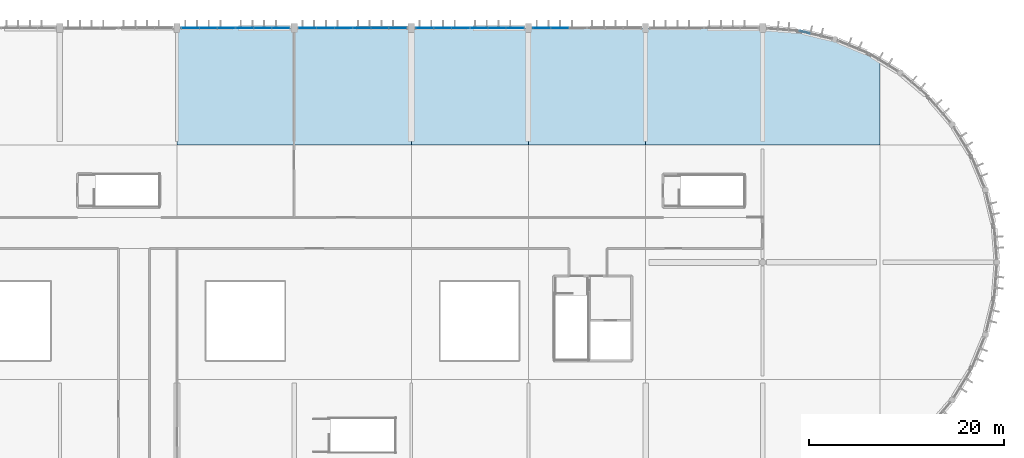
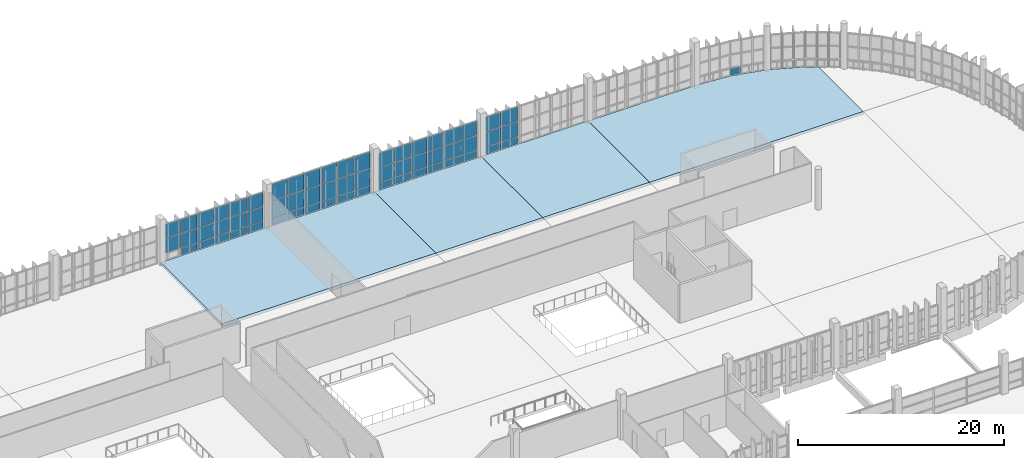
# One storey, part 73 of 112: 60 plates, 4 slabs, 8 elements without a shape of their own.
"""IFC4 building model written with IfcOpenShell, lengths in metres."""

import ifcopenshell
import ifcopenshell.guid

model = None  # the IFC model being written
_history = None  # IfcOwnerHistory: only IFC2X3 demands one
_inside = {}  # id of a spatial element -> (the spatial element, [elements in it])
_under = {}  # id of a project, library or spatial element -> (it, [spatial elements below it])
_declared = {}  # id of a project -> (the project, [libraries it declares])
_typed = {}  # id of a type object -> (the type object, [elements of that type])
_made_of = {}  # id of a material, layer set ... -> (it, [elements and type objects made of it])


def new_model(schema):
    """Start an empty IFC model of exactly this schema.

    Asked for "IFC4X3", IfcOpenShell would pick the latest addendum, in which some entities
    have other attributes; the version numbers below select the first issue.
    IFC2X3 requires an IfcOwnerHistory on every rooted entity: one is made here for all.
    """
    global model, _history
    if schema == "IFC4X3":
        model = ifcopenshell.file(schema_version=(4, 3, 0, 0))
    else:
        model = ifcopenshell.file(schema=schema)
    _inside.clear()
    _under.clear()
    _declared.clear()
    _typed.clear()
    _made_of.clear()
    _history = None
    if model.schema == "IFC2X3":
        org = make("IfcOrganization", Name="unknown")
        user = make(
            "IfcPersonAndOrganization",
            ThePerson=make("IfcPerson", FamilyName="unknown"),
            TheOrganization=org,
        )
        app = make(
            "IfcApplication",
            ApplicationDeveloper=org,
            Version="unknown",
            ApplicationFullName="unknown",
            ApplicationIdentifier="unknown",
        )
        _history = make(
            "IfcOwnerHistory",
            OwningUser=user,
            OwningApplication=app,
            ChangeAction="ADDED",
            CreationDate=0,
        )
    return model


def make(cls, **values):
    """One entity of the class cls with the attributes given. An attribute that is None is left unset."""
    return model.create_entity(
        cls, **{name: value for name, value in values.items() if value is not None}
    )


def rooted(cls, **values):
    """An entity with a GlobalId (a new one), such as an element, a storey or a relation."""
    return make(cls, GlobalId=ifcopenshell.guid.new(), OwnerHistory=_history, **values)


def si_unit(unit_type, name, prefix=None):
    """IfcSIUnit, for example si_unit("LENGTHUNIT", "METRE", prefix="MILLI")."""
    return make("IfcSIUnit", UnitType=unit_type, Prefix=prefix, Name=name)


def assignment(units):
    """IfcUnitAssignment: the units of a project."""
    return None if units is None else make("IfcUnitAssignment", Units=units)


def point(xyz):
    """IfcCartesianPoint."""
    return None if xyz is None else make("IfcCartesianPoint", Coordinates=xyz)


def direction(xyz):
    """IfcDirection."""
    return None if xyz is None else make("IfcDirection", DirectionRatios=xyz)


def frame(location, z_axis=None, x_axis=None):
    """IfcAxis2Placement3D, a coordinate frame: its origin and axes. An axis left out is left unset."""
    return make(
        "IfcAxis2Placement3D",
        Location=point(location),
        Axis=direction(z_axis),
        RefDirection=direction(x_axis),
    )


def frame_2d(location, x_axis=None):
    """IfcAxis2Placement2D, a coordinate frame in the plane: its origin and x axis."""
    return make(
        "IfcAxis2Placement2D", Location=point(location), RefDirection=direction(x_axis)
    )


def origin():
    """The frame at (0, 0, 0) with its axes left unset."""
    return frame((0.0, 0.0, 0.0))


def origin_2d():
    """The frame at (0, 0) in the plane with its x axis left unset."""
    return frame_2d((0.0, 0.0))


def place(relative_to, where):
    """IfcLocalPlacement: puts the frame where relative to a parent placement (None: the world)."""
    return make(
        "IfcLocalPlacement", PlacementRelTo=relative_to, RelativePlacement=where
    )


def context(
    kind, dimensions, precision=None, world=None, true_north=None, identifier=None
):
    """IfcGeometricRepresentationContext, for example the 3D "Model" context."""
    return make(
        "IfcGeometricRepresentationContext",
        ContextIdentifier=identifier,
        ContextType=kind,
        CoordinateSpaceDimension=dimensions,
        Precision=precision,
        WorldCoordinateSystem=world,
        TrueNorth=true_north,
    )


def subcontext(parent, identifier, kind, view, scale=None):
    """IfcGeometricRepresentationSubContext, for example "Body" below "Model"."""
    return make(
        "IfcGeometricRepresentationSubContext",
        ContextIdentifier=identifier,
        ContextType=kind,
        ParentContext=parent,
        TargetScale=scale,
        TargetView=view,
    )


def project(units=None, contexts=None):
    """IfcProject with its units and contexts."""
    return rooted(
        "IfcProject",
        Name="project",
        RepresentationContexts=contexts,
        UnitsInContext=assignment(units),
    )


def spatial(cls, under=None, at=None, **own):
    """A site, building, storey or space (cls), placed at a placement, below another one or the project."""
    s = rooted(cls, ObjectPlacement=at, **own)
    if under is not None:
        _under.setdefault(under.id(), (under, []))[1].append(s)
    return s


def polyline(points):
    """IfcPolyline through the points."""
    return make("IfcPolyline", Points=[point(p) for p in points])


def profile(cls, at=None, kind="AREA", **sizes):
    """A parametric profile (cls). Its sizes go by their IFC names, for example OverallWidth=200.0."""
    return make(cls, ProfileType=kind, Position=at, **sizes)


def rectangle(**sizes):
    """IfcRectangleProfileDef."""
    return profile("IfcRectangleProfileDef", **sizes)


def outline(outer, holes=None, kind="AREA"):
    """IfcArbitraryClosedProfileDef: a profile drawn as a closed curve; with holes, ...WithVoids."""
    if holes is None:
        return make("IfcArbitraryClosedProfileDef", ProfileType=kind, OuterCurve=outer)
    return make(
        "IfcArbitraryProfileDefWithVoids",
        ProfileType=kind,
        OuterCurve=outer,
        InnerCurves=holes,
    )


def extrude(swept, where, along, depth):
    """IfcExtrudedAreaSolid: the profile swept, set in the frame where, extruded along a direction by depth."""
    return make(
        "IfcExtrudedAreaSolid",
        SweptArea=swept,
        Position=where,
        ExtrudedDirection=direction(along),
        Depth=depth,
    )


def shape(context_of_items, identifier, shape_type, items):
    """IfcShapeRepresentation: the items that make up one representation, for example the "Body"."""
    return make(
        "IfcShapeRepresentation",
        ContextOfItems=context_of_items,
        RepresentationIdentifier=identifier,
        RepresentationType=shape_type,
        Items=items,
    )


def material(Name=None, Category=None):
    """IfcMaterial."""
    return make("IfcMaterial", Name=Name, Category=Category)


def layer(
    of_material, thickness, ventilated=None, Name=None, Category=None, Priority=None
):
    """IfcMaterialLayer: one layer of a wall or slab, of a material (None: an air gap)."""
    return make(
        "IfcMaterialLayer",
        Material=of_material,
        LayerThickness=thickness,
        IsVentilated=ventilated,
        Name=Name,
        Category=Category,
        Priority=Priority,
    )


def layer_set(layers, Name=None):
    """IfcMaterialLayerSet."""
    return make("IfcMaterialLayerSet", MaterialLayers=layers, LayerSetName=Name)


def made_of(thing, what):
    """Note that an element or type object is made of a material, layer set ...; save() writes the relation."""
    if what is not None:
        _made_of.setdefault(what.id(), (what, []))[1].append(thing)
    return thing


def type_object(cls, material=None, **own):
    """A type object (cls), such as IfcWallType, which elements share."""
    return made_of(rooted(cls, **own), material)


def element(
    cls,
    number,
    at=None,
    inside=None,
    cuts=None,
    type_object=None,
    material=None,
    context=None,
    identifier="Body",
    shape_type=None,
    held_by="IfcProductDefinitionShape",
    body=None,
    shapes=None,
    **own,
):
    """One element of the class cls, such as IfcWall. Its Tag is "e" and its number.

    at: its placement. inside: the storey or other place that contains it. cuts: it is an
    opening in that element (IfcRelVoidsElement). A single representation is given by context,
    identifier, shape_type and body (its items); several are given by shapes. held_by: the class
    of the entity that holds the representations. save() writes the other relations.
    """
    e = rooted(cls, Tag="e%d" % number, ObjectPlacement=at, **own)
    if body is not None:
        shapes = [shape(context, identifier, shape_type, body)]
    if shapes is not None:
        e.Representation = make(held_by, Representations=shapes)
    if inside is not None:
        _inside.setdefault(inside.id(), (inside, []))[1].append(e)
    if cuts is not None:
        rooted(
            "IfcRelVoidsElement", RelatingBuildingElement=cuts, RelatedOpeningElement=e
        )
    if type_object is not None:
        _typed.setdefault(type_object.id(), (type_object, []))[1].append(e)
    return made_of(e, material)


def aggregate(whole, parts):
    """IfcRelAggregates: a whole, such as a stair, and the parts it consists of."""
    return rooted("IfcRelAggregates", RelatingObject=whole, RelatedObjects=parts)


def save(model, path):
    """Write the relations noted so far, then the file.

    IfcRelAggregates (storeys below a building ...), IfcRelContainedInSpatialStructure (elements
    in a storey), IfcRelDefinesByType, IfcRelAssociatesMaterial and IfcRelDeclares: one each for
    every whole, place, type object, material and project.
    """
    for whole, parts in _under.values():
        aggregate(whole, parts)
    for where, things in _inside.values():
        rooted(
            "IfcRelContainedInSpatialStructure",
            RelatedElements=things,
            RelatingStructure=where,
        )
    for kind, things in _typed.values():
        rooted("IfcRelDefinesByType", RelatedObjects=things, RelatingType=kind)
    for what, things in _made_of.values():
        rooted("IfcRelAssociatesMaterial", RelatedObjects=things, RelatingMaterial=what)
    for by, libraries in _declared.values():
        rooted("IfcRelDeclares", RelatingContext=by, RelatedDefinitions=libraries)
    model.write(path)


model = new_model("IFC4")

# Units and contexts
model_context = context("Model", 3, precision=1e-05, world=origin(), true_north=direction((0.0, 1.0)))
body_context = subcontext(model_context, "Body", "Model", "MODEL_VIEW")
ifc_project = project(units=[si_unit("LENGTHUNIT", "METRE"), si_unit("AREAUNIT", "SQUARE_METRE"), si_unit("VOLUMEUNIT", "CUBIC_METRE"), si_unit("PLANEANGLEUNIT", "RADIAN"), si_unit("MASSUNIT", "GRAM", prefix="KILO")], contexts=[model_context])

# Site, building, storey
site_placement = place(None, origin())
site = spatial("IfcSite", under=ifc_project, at=site_placement, CompositionType="ELEMENT")
building_placement = place(site_placement, origin())
building = spatial("IfcBuilding", under=site, at=building_placement, Name="Kamomehara Wholesale Market", CompositionType="ELEMENT")
storey_placement = place(building_placement, frame((0.0, 0.0, 6.60009765625)))
storey = spatial("IfcBuildingStorey", under=building, at=storey_placement, Name="L01", CompositionType="ELEMENT", Elevation=6.60009765625)

# Curtain wall, plates
ifc_material_1 = material(Name="Anodised aluminium 6063-T5", Category="aluminium")
curtain_wall_type_1 = type_object("IfcCurtainWallType", Name="CW-UN-02", PredefinedType="NOTDEFINED", material=ifc_material_1)
curtain_wall_1_placement = place(storey_placement, origin())
curtain_wall_1 = element("IfcCurtainWall", 1, at=curtain_wall_1_placement, inside=storey, type_object=curtain_wall_type_1, Name="Unitised curtain wall CW-077", PredefinedType="NOTDEFINED")
ifc_material_2 = material(Name="Solar-control Low-E double glazing", Category="glass")
ifc_layer_1 = layer(ifc_material_2, 0.028076171875)
ifc_layer_set_1 = layer_set([ifc_layer_1], Name="Solar-control Low-E double glazing")
plate_type_1 = type_object("IfcPlateType", Name="CW-PNL-GLZ", PredefinedType="CURTAIN_PANEL", material=ifc_layer_set_1)
plate_1_placement = place(storey_placement, frame((121.3779296875, 156.02001953125, 0.93017578125), z_axis=(0.0, 0.0, 1.0), x_axis=(1.0, 0.0, 0.0)))
plate_1 = element("IfcPlate", 2, at=plate_1_placement, type_object=plate_type_1, Name="Curtain panel CW-077.0.1", PredefinedType="CURTAIN_PANEL", context=body_context, shape_type="SweptSolid", body=[
    extrude(rectangle(XDim=1.757080078125, YDim=0.028076171875, at=origin_2d()), origin(), (0.0, 0.0, 1.0), 1.679931640625),
])
plate_2_placement = place(storey_placement, frame((121.3779296875, 156.02001953125, 2.669921875), z_axis=(0.0, 0.0, 1.0), x_axis=(1.0, 0.0, 0.0)))
plate_2 = element("IfcPlate", 3, at=plate_2_placement, type_object=plate_type_1, Name="Curtain panel CW-077.0.2", PredefinedType="CURTAIN_PANEL", context=body_context, shape_type="SweptSolid", body=[
    extrude(rectangle(XDim=1.757080078125, YDim=0.028076171875, at=origin_2d()), origin(), (0.0, 0.0, 1.0), 1.639892578125),
])
plate_3_placement = place(storey_placement, frame((123.215087890625, 156.02001953125, 0.93017578125), z_axis=(0.0, 0.0, 1.0), x_axis=(1.0, 0.0, 0.0)))
plate_3 = element("IfcPlate", 4, at=plate_3_placement, type_object=plate_type_1, Name="Curtain panel CW-077.1.1", PredefinedType="CURTAIN_PANEL", context=body_context, shape_type="SweptSolid", body=[
    extrude(rectangle(XDim=1.757080078125, YDim=0.028076171875, at=origin_2d()), origin(), (0.0, 0.0, 1.0), 1.679931640625),
])
plate_4_placement = place(storey_placement, frame((123.215087890625, 156.02001953125, 2.669921875), z_axis=(0.0, 0.0, 1.0), x_axis=(1.0, 0.0, 0.0)))
plate_4 = element("IfcPlate", 5, at=plate_4_placement, type_object=plate_type_1, Name="Curtain panel CW-077.1.2", PredefinedType="CURTAIN_PANEL", context=body_context, shape_type="SweptSolid", body=[
    extrude(rectangle(XDim=1.757080078125, YDim=0.028076171875, at=origin_2d()), origin(), (0.0, 0.0, 1.0), 1.639892578125),
])
plate_5_placement = place(storey_placement, frame((125.052001953125, 156.02001953125, 0.93017578125), z_axis=(0.0, 0.0, 1.0), x_axis=(1.0, 0.0, 0.0)))
plate_5 = element("IfcPlate", 6, at=plate_5_placement, type_object=plate_type_1, Name="Curtain panel CW-077.2.1", PredefinedType="CURTAIN_PANEL", context=body_context, shape_type="SweptSolid", body=[
    extrude(rectangle(XDim=1.757080078125, YDim=0.028076171875, at=origin_2d()), origin(), (0.0, 0.0, 1.0), 1.679931640625),
])
plate_6_placement = place(storey_placement, frame((125.052001953125, 156.02001953125, 2.669921875), z_axis=(0.0, 0.0, 1.0), x_axis=(1.0, 0.0, 0.0)))
plate_6 = element("IfcPlate", 7, at=plate_6_placement, type_object=plate_type_1, Name="Curtain panel CW-077.2.2", PredefinedType="CURTAIN_PANEL", context=body_context, shape_type="SweptSolid", body=[
    extrude(rectangle(XDim=1.757080078125, YDim=0.028076171875, at=origin_2d()), origin(), (0.0, 0.0, 1.0), 1.639892578125),
])

curtain_wall_2_placement = place(storey_placement, origin())
curtain_wall_2 = element("IfcCurtainWall", 8, at=curtain_wall_2_placement, inside=storey, type_object=curtain_wall_type_1, Name="Unitised curtain wall CW-078", PredefinedType="NOTDEFINED")
plate_7_placement = place(storey_placement, frame((126.947998046875, 156.02001953125, 0.93017578125), z_axis=(0.0, 0.0, 1.0), x_axis=(1.0, 0.0, 0.0)))
plate_7 = element("IfcPlate", 9, at=plate_7_placement, type_object=plate_type_1, Name="Curtain panel CW-078.0.1", PredefinedType="CURTAIN_PANEL", context=body_context, shape_type="SweptSolid", body=[
    extrude(rectangle(XDim=1.757080078125, YDim=0.028076171875, at=origin_2d()), origin(), (0.0, 0.0, 1.0), 1.679931640625),
])
plate_8_placement = place(storey_placement, frame((126.947998046875, 156.02001953125, 2.669921875), z_axis=(0.0, 0.0, 1.0), x_axis=(1.0, 0.0, 0.0)))
plate_8 = element("IfcPlate", 10, at=plate_8_placement, type_object=plate_type_1, Name="Curtain panel CW-078.0.2", PredefinedType="CURTAIN_PANEL", context=body_context, shape_type="SweptSolid", body=[
    extrude(rectangle(XDim=1.757080078125, YDim=0.028076171875, at=origin_2d()), origin(), (0.0, 0.0, 1.0), 1.639892578125),
])
plate_9_placement = place(storey_placement, frame((128.784912109375, 156.02001953125, 0.93017578125), z_axis=(0.0, 0.0, 1.0), x_axis=(1.0, 0.0, 0.0)))
plate_9 = element("IfcPlate", 11, at=plate_9_placement, type_object=plate_type_1, Name="Curtain panel CW-078.1.1", PredefinedType="CURTAIN_PANEL", context=body_context, shape_type="SweptSolid", body=[
    extrude(rectangle(XDim=1.757080078125, YDim=0.028076171875, at=origin_2d()), origin(), (0.0, 0.0, 1.0), 1.679931640625),
])
plate_10_placement = place(storey_placement, frame((128.784912109375, 156.02001953125, 2.669921875), z_axis=(0.0, 0.0, 1.0), x_axis=(1.0, 0.0, 0.0)))
plate_10 = element("IfcPlate", 12, at=plate_10_placement, type_object=plate_type_1, Name="Curtain panel CW-078.1.2", PredefinedType="CURTAIN_PANEL", context=body_context, shape_type="SweptSolid", body=[
    extrude(rectangle(XDim=1.757080078125, YDim=0.028076171875, at=origin_2d()), origin(), (0.0, 0.0, 1.0), 1.639892578125),
])
plate_11_placement = place(storey_placement, frame((130.6220703125, 156.02001953125, 0.93017578125), z_axis=(0.0, 0.0, 1.0), x_axis=(1.0, 0.0, 0.0)))
plate_11 = element("IfcPlate", 13, at=plate_11_placement, type_object=plate_type_1, Name="Curtain panel CW-078.2.1", PredefinedType="CURTAIN_PANEL", context=body_context, shape_type="SweptSolid", body=[
    extrude(rectangle(XDim=1.757080078125, YDim=0.028076171875, at=origin_2d()), origin(), (0.0, 0.0, 1.0), 1.679931640625),
])
plate_12_placement = place(storey_placement, frame((130.6220703125, 156.02001953125, 2.669921875), z_axis=(0.0, 0.0, 1.0), x_axis=(1.0, 0.0, 0.0)))
plate_12 = element("IfcPlate", 14, at=plate_12_placement, type_object=plate_type_1, Name="Curtain panel CW-078.2.2", PredefinedType="CURTAIN_PANEL", context=body_context, shape_type="SweptSolid", body=[
    extrude(rectangle(XDim=1.757080078125, YDim=0.028076171875, at=origin_2d()), origin(), (0.0, 0.0, 1.0), 1.639892578125),
])

curtain_wall_3_placement = place(storey_placement, origin())
curtain_wall_3 = element("IfcCurtainWall", 15, at=curtain_wall_3_placement, inside=storey, type_object=curtain_wall_type_1, Name="Unitised curtain wall CW-081", PredefinedType="NOTDEFINED")
plate_13_placement = place(storey_placement, frame((133.3779296875, 156.02001953125, 0.93017578125), z_axis=(0.0, 0.0, 1.0), x_axis=(1.0, 0.0, 0.0)))
plate_13 = element("IfcPlate", 16, at=plate_13_placement, type_object=plate_type_1, Name="Curtain panel CW-081.0.1", PredefinedType="CURTAIN_PANEL", context=body_context, shape_type="SweptSolid", body=[
    extrude(rectangle(XDim=1.757080078125, YDim=0.028076171875, at=origin_2d()), origin(), (0.0, 0.0, 1.0), 1.985107421875),
])
plate_14_placement = place(storey_placement, frame((133.3779296875, 156.02001953125, 2.974609375), z_axis=(0.0, 0.0, 1.0), x_axis=(1.0, 0.0, 0.0)))
plate_14 = element("IfcPlate", 17, at=plate_14_placement, type_object=plate_type_1, Name="Curtain panel CW-081.0.2", PredefinedType="CURTAIN_PANEL", context=body_context, shape_type="SweptSolid", body=[
    extrude(rectangle(XDim=1.757080078125, YDim=0.028076171875, at=origin_2d()), origin(), (0.0, 0.0, 1.0), 1.945068359375),
])
plate_15_placement = place(storey_placement, frame((135.215087890625, 156.02001953125, 0.93017578125), z_axis=(0.0, 0.0, 1.0), x_axis=(1.0, 0.0, 0.0)))
plate_15 = element("IfcPlate", 18, at=plate_15_placement, type_object=plate_type_1, Name="Curtain panel CW-081.1.1", PredefinedType="CURTAIN_PANEL", context=body_context, shape_type="SweptSolid", body=[
    extrude(rectangle(XDim=1.757080078125, YDim=0.028076171875, at=origin_2d()), origin(), (0.0, 0.0, 1.0), 1.985107421875),
])
plate_16_placement = place(storey_placement, frame((135.215087890625, 156.02001953125, 2.974609375), z_axis=(0.0, 0.0, 1.0), x_axis=(1.0, 0.0, 0.0)))
plate_16 = element("IfcPlate", 19, at=plate_16_placement, type_object=plate_type_1, Name="Curtain panel CW-081.1.2", PredefinedType="CURTAIN_PANEL", context=body_context, shape_type="SweptSolid", body=[
    extrude(rectangle(XDim=1.757080078125, YDim=0.028076171875, at=origin_2d()), origin(), (0.0, 0.0, 1.0), 1.945068359375),
])
plate_17_placement = place(storey_placement, frame((137.052001953125, 156.02001953125, 0.93017578125), z_axis=(0.0, 0.0, 1.0), x_axis=(1.0, 0.0, 0.0)))
plate_17 = element("IfcPlate", 20, at=plate_17_placement, type_object=plate_type_1, Name="Curtain panel CW-081.2.1", PredefinedType="CURTAIN_PANEL", context=body_context, shape_type="SweptSolid", body=[
    extrude(rectangle(XDim=1.757080078125, YDim=0.028076171875, at=origin_2d()), origin(), (0.0, 0.0, 1.0), 1.985107421875),
])
plate_18_placement = place(storey_placement, frame((137.052001953125, 156.02001953125, 2.974609375), z_axis=(0.0, 0.0, 1.0), x_axis=(1.0, 0.0, 0.0)))
plate_18 = element("IfcPlate", 21, at=plate_18_placement, type_object=plate_type_1, Name="Curtain panel CW-081.2.2", PredefinedType="CURTAIN_PANEL", context=body_context, shape_type="SweptSolid", body=[
    extrude(rectangle(XDim=1.757080078125, YDim=0.028076171875, at=origin_2d()), origin(), (0.0, 0.0, 1.0), 1.945068359375),
])

curtain_wall_4_placement = place(storey_placement, origin())
curtain_wall_4 = element("IfcCurtainWall", 22, at=curtain_wall_4_placement, inside=storey, type_object=curtain_wall_type_1, Name="Unitised curtain wall CW-082", PredefinedType="NOTDEFINED")
plate_19_placement = place(storey_placement, frame((138.947998046875, 156.02001953125, 0.93017578125), z_axis=(0.0, 0.0, 1.0), x_axis=(1.0, 0.0, 0.0)))
plate_19 = element("IfcPlate", 23, at=plate_19_placement, type_object=plate_type_1, Name="Curtain panel CW-082.0.1", PredefinedType="CURTAIN_PANEL", context=body_context, shape_type="SweptSolid", body=[
    extrude(rectangle(XDim=1.757080078125, YDim=0.028076171875, at=origin_2d()), origin(), (0.0, 0.0, 1.0), 1.985107421875),
])
plate_20_placement = place(storey_placement, frame((138.947998046875, 156.02001953125, 2.974609375), z_axis=(0.0, 0.0, 1.0), x_axis=(1.0, 0.0, 0.0)))
plate_20 = element("IfcPlate", 24, at=plate_20_placement, type_object=plate_type_1, Name="Curtain panel CW-082.0.2", PredefinedType="CURTAIN_PANEL", context=body_context, shape_type="SweptSolid", body=[
    extrude(rectangle(XDim=1.757080078125, YDim=0.028076171875, at=origin_2d()), origin(), (0.0, 0.0, 1.0), 1.945068359375),
])
plate_21_placement = place(storey_placement, frame((140.784912109375, 156.02001953125, 0.93017578125), z_axis=(0.0, 0.0, 1.0), x_axis=(1.0, 0.0, 0.0)))
plate_21 = element("IfcPlate", 25, at=plate_21_placement, type_object=plate_type_1, Name="Curtain panel CW-082.1.1", PredefinedType="CURTAIN_PANEL", context=body_context, shape_type="SweptSolid", body=[
    extrude(rectangle(XDim=1.757080078125, YDim=0.028076171875, at=origin_2d()), origin(), (0.0, 0.0, 1.0), 1.985107421875),
])
plate_22_placement = place(storey_placement, frame((140.784912109375, 156.02001953125, 2.974609375), z_axis=(0.0, 0.0, 1.0), x_axis=(1.0, 0.0, 0.0)))
plate_22 = element("IfcPlate", 26, at=plate_22_placement, type_object=plate_type_1, Name="Curtain panel CW-082.1.2", PredefinedType="CURTAIN_PANEL", context=body_context, shape_type="SweptSolid", body=[
    extrude(rectangle(XDim=1.757080078125, YDim=0.028076171875, at=origin_2d()), origin(), (0.0, 0.0, 1.0), 1.945068359375),
])
plate_23_placement = place(storey_placement, frame((142.6220703125, 156.02001953125, 0.93017578125), z_axis=(0.0, 0.0, 1.0), x_axis=(1.0, 0.0, 0.0)))
plate_23 = element("IfcPlate", 27, at=plate_23_placement, type_object=plate_type_1, Name="Curtain panel CW-082.2.1", PredefinedType="CURTAIN_PANEL", context=body_context, shape_type="SweptSolid", body=[
    extrude(rectangle(XDim=1.757080078125, YDim=0.028076171875, at=origin_2d()), origin(), (0.0, 0.0, 1.0), 1.985107421875),
])
plate_24_placement = place(storey_placement, frame((142.6220703125, 156.02001953125, 2.974609375), z_axis=(0.0, 0.0, 1.0), x_axis=(1.0, 0.0, 0.0)))
plate_24 = element("IfcPlate", 28, at=plate_24_placement, type_object=plate_type_1, Name="Curtain panel CW-082.2.2", PredefinedType="CURTAIN_PANEL", context=body_context, shape_type="SweptSolid", body=[
    extrude(rectangle(XDim=1.757080078125, YDim=0.028076171875, at=origin_2d()), origin(), (0.0, 0.0, 1.0), 1.945068359375),
])

curtain_wall_5_placement = place(storey_placement, origin())
curtain_wall_5 = element("IfcCurtainWall", 29, at=curtain_wall_5_placement, inside=storey, type_object=curtain_wall_type_1, Name="Unitised curtain wall CW-085", PredefinedType="NOTDEFINED")
plate_25_placement = place(storey_placement, frame((145.3779296875, 156.02001953125, 0.930419921875), z_axis=(0.0, 0.0, 1.0), x_axis=(1.0, 0.0, 0.0)))
plate_25 = element("IfcPlate", 30, at=plate_25_placement, type_object=plate_type_1, Name="Curtain panel CW-085.0.1", PredefinedType="CURTAIN_PANEL", context=body_context, shape_type="SweptSolid", body=[
    extrude(rectangle(XDim=1.757080078125, YDim=0.028076171875, at=origin_2d()), origin(), (0.0, 0.0, 1.0), 1.705078125),
])
plate_26_placement = place(storey_placement, frame((145.3779296875, 156.02001953125, 2.6953125), z_axis=(0.0, 0.0, 1.0), x_axis=(1.0, 0.0, 0.0)))
plate_26 = element("IfcPlate", 31, at=plate_26_placement, type_object=plate_type_1, Name="Curtain panel CW-085.0.2", PredefinedType="CURTAIN_PANEL", context=body_context, shape_type="SweptSolid", body=[
    extrude(rectangle(XDim=1.757080078125, YDim=0.028076171875, at=origin_2d()), origin(), (0.0, 0.0, 1.0), 1.6650390625),
])
plate_27_placement = place(storey_placement, frame((147.215087890625, 156.02001953125, 0.930419921875), z_axis=(0.0, 0.0, 1.0), x_axis=(1.0, 0.0, 0.0)))
plate_27 = element("IfcPlate", 32, at=plate_27_placement, type_object=plate_type_1, Name="Curtain panel CW-085.1.1", PredefinedType="CURTAIN_PANEL", context=body_context, shape_type="SweptSolid", body=[
    extrude(rectangle(XDim=1.757080078125, YDim=0.028076171875, at=origin_2d()), origin(), (0.0, 0.0, 1.0), 1.705078125),
])
plate_28_placement = place(storey_placement, frame((147.215087890625, 156.02001953125, 2.6953125), z_axis=(0.0, 0.0, 1.0), x_axis=(1.0, 0.0, 0.0)))
plate_28 = element("IfcPlate", 33, at=plate_28_placement, type_object=plate_type_1, Name="Curtain panel CW-085.1.2", PredefinedType="CURTAIN_PANEL", context=body_context, shape_type="SweptSolid", body=[
    extrude(rectangle(XDim=1.757080078125, YDim=0.028076171875, at=origin_2d()), origin(), (0.0, 0.0, 1.0), 1.6650390625),
])
plate_29_placement = place(storey_placement, frame((149.052001953125, 156.02001953125, 0.930419921875), z_axis=(0.0, 0.0, 1.0), x_axis=(1.0, 0.0, 0.0)))
plate_29 = element("IfcPlate", 34, at=plate_29_placement, type_object=plate_type_1, Name="Curtain panel CW-085.2.1", PredefinedType="CURTAIN_PANEL", context=body_context, shape_type="SweptSolid", body=[
    extrude(rectangle(XDim=1.757080078125, YDim=0.028076171875, at=origin_2d()), origin(), (0.0, 0.0, 1.0), 1.705078125),
])
plate_30_placement = place(storey_placement, frame((149.052001953125, 156.02001953125, 2.6953125), z_axis=(0.0, 0.0, 1.0), x_axis=(1.0, 0.0, 0.0)))
plate_30 = element("IfcPlate", 35, at=plate_30_placement, type_object=plate_type_1, Name="Curtain panel CW-085.2.2", PredefinedType="CURTAIN_PANEL", context=body_context, shape_type="SweptSolid", body=[
    extrude(rectangle(XDim=1.757080078125, YDim=0.028076171875, at=origin_2d()), origin(), (0.0, 0.0, 1.0), 1.6650390625),
])

curtain_wall_6_placement = place(storey_placement, origin())
curtain_wall_6 = element("IfcCurtainWall", 36, at=curtain_wall_6_placement, inside=storey, type_object=curtain_wall_type_1, Name="Unitised curtain wall CW-086", PredefinedType="NOTDEFINED")
plate_31_placement = place(storey_placement, frame((150.947998046875, 156.02001953125, 0.930419921875), z_axis=(0.0, 0.0, 1.0), x_axis=(1.0, 0.0, 0.0)))
plate_31 = element("IfcPlate", 37, at=plate_31_placement, type_object=plate_type_1, Name="Curtain panel CW-086.0.1", PredefinedType="CURTAIN_PANEL", context=body_context, shape_type="SweptSolid", body=[
    extrude(rectangle(XDim=1.757080078125, YDim=0.028076171875, at=origin_2d()), origin(), (0.0, 0.0, 1.0), 1.705078125),
])
plate_32_placement = place(storey_placement, frame((150.947998046875, 156.02001953125, 2.6953125), z_axis=(0.0, 0.0, 1.0), x_axis=(1.0, 0.0, 0.0)))
plate_32 = element("IfcPlate", 38, at=plate_32_placement, type_object=plate_type_1, Name="Curtain panel CW-086.0.2", PredefinedType="CURTAIN_PANEL", context=body_context, shape_type="SweptSolid", body=[
    extrude(rectangle(XDim=1.757080078125, YDim=0.028076171875, at=origin_2d()), origin(), (0.0, 0.0, 1.0), 1.6650390625),
])
plate_33_placement = place(storey_placement, frame((152.784912109375, 156.02001953125, 0.930419921875), z_axis=(0.0, 0.0, 1.0), x_axis=(1.0, 0.0, 0.0)))
plate_33 = element("IfcPlate", 39, at=plate_33_placement, type_object=plate_type_1, Name="Curtain panel CW-086.1.1", PredefinedType="CURTAIN_PANEL", context=body_context, shape_type="SweptSolid", body=[
    extrude(rectangle(XDim=1.757080078125, YDim=0.028076171875, at=origin_2d()), origin(), (0.0, 0.0, 1.0), 1.705078125),
])
plate_34_placement = place(storey_placement, frame((152.784912109375, 156.02001953125, 2.6953125), z_axis=(0.0, 0.0, 1.0), x_axis=(1.0, 0.0, 0.0)))
plate_34 = element("IfcPlate", 40, at=plate_34_placement, type_object=plate_type_1, Name="Curtain panel CW-086.1.2", PredefinedType="CURTAIN_PANEL", context=body_context, shape_type="SweptSolid", body=[
    extrude(rectangle(XDim=1.757080078125, YDim=0.028076171875, at=origin_2d()), origin(), (0.0, 0.0, 1.0), 1.6650390625),
])
plate_35_placement = place(storey_placement, frame((154.6220703125, 156.02001953125, 0.930419921875), z_axis=(0.0, 0.0, 1.0), x_axis=(1.0, 0.0, 0.0)))
plate_35 = element("IfcPlate", 41, at=plate_35_placement, type_object=plate_type_1, Name="Curtain panel CW-086.2.1", PredefinedType="CURTAIN_PANEL", context=body_context, shape_type="SweptSolid", body=[
    extrude(rectangle(XDim=1.757080078125, YDim=0.028076171875, at=origin_2d()), origin(), (0.0, 0.0, 1.0), 1.705078125),
])
plate_36_placement = place(storey_placement, frame((154.6220703125, 156.02001953125, 2.6953125), z_axis=(0.0, 0.0, 1.0), x_axis=(1.0, 0.0, 0.0)))
plate_36 = element("IfcPlate", 42, at=plate_36_placement, type_object=plate_type_1, Name="Curtain panel CW-086.2.2", PredefinedType="CURTAIN_PANEL", context=body_context, shape_type="SweptSolid", body=[
    extrude(rectangle(XDim=1.757080078125, YDim=0.028076171875, at=origin_2d()), origin(), (0.0, 0.0, 1.0), 1.6650390625),
])

curtain_wall_7_placement = place(storey_placement, origin())
curtain_wall_7 = element("IfcCurtainWall", 43, at=curtain_wall_7_placement, inside=storey, type_object=curtain_wall_type_1, Name="Unitised curtain wall CW-089", PredefinedType="NOTDEFINED")
plate_37_placement = place(storey_placement, frame((157.3779296875, 156.02001953125, 0.929443359375), z_axis=(0.0, 0.0, 1.0), x_axis=(1.0, 0.0, 0.0)))
plate_37 = element("IfcPlate", 44, at=plate_37_placement, type_object=plate_type_1, Name="Curtain panel CW-089.0.1", PredefinedType="CURTAIN_PANEL", context=body_context, shape_type="SweptSolid", body=[
    extrude(rectangle(XDim=1.757080078125, YDim=0.028076171875, at=origin_2d()), origin(), (0.0, 0.0, 1.0), 1.7548828125),
])
plate_38_placement = place(storey_placement, frame((157.3779296875, 156.02001953125, 2.7451171875), z_axis=(0.0, 0.0, 1.0), x_axis=(1.0, 0.0, 0.0)))
plate_38 = element("IfcPlate", 45, at=plate_38_placement, type_object=plate_type_1, Name="Curtain panel CW-089.0.2", PredefinedType="CURTAIN_PANEL", context=body_context, shape_type="SweptSolid", body=[
    extrude(rectangle(XDim=1.757080078125, YDim=0.028076171875, at=origin_2d()), origin(), (0.0, 0.0, 1.0), 1.715087890625),
])
plate_39_placement = place(storey_placement, frame((159.215087890625, 156.02001953125, 0.929443359375), z_axis=(0.0, 0.0, 1.0), x_axis=(1.0, 0.0, 0.0)))
plate_39 = element("IfcPlate", 46, at=plate_39_placement, type_object=plate_type_1, Name="Curtain panel CW-089.1.1", PredefinedType="CURTAIN_PANEL", context=body_context, shape_type="SweptSolid", body=[
    extrude(rectangle(XDim=1.757080078125, YDim=0.028076171875, at=origin_2d()), origin(), (0.0, 0.0, 1.0), 1.7548828125),
])
plate_40_placement = place(storey_placement, frame((159.215087890625, 156.02001953125, 2.7451171875), z_axis=(0.0, 0.0, 1.0), x_axis=(1.0, 0.0, 0.0)))
plate_40 = element("IfcPlate", 47, at=plate_40_placement, type_object=plate_type_1, Name="Curtain panel CW-089.1.2", PredefinedType="CURTAIN_PANEL", context=body_context, shape_type="SweptSolid", body=[
    extrude(rectangle(XDim=1.757080078125, YDim=0.028076171875, at=origin_2d()), origin(), (0.0, 0.0, 1.0), 1.715087890625),
])

# Plate
ifc_material_3 = material(Name="Insulated aluminium spandrel panel", Category="aluminium")
ifc_layer_2 = layer(ifc_material_3, 0.0400390625)
ifc_layer_set_2 = layer_set([ifc_layer_2], Name="Insulated aluminium spandrel panel")
plate_type_2 = type_object("IfcPlateType", Name="CW-PNL-SPN", PredefinedType="CURTAIN_PANEL", material=ifc_layer_set_2)
plate_41_placement = place(storey_placement, frame((123.215087890625, 156.02001953125, 0.06982421875), z_axis=(0.0, 0.0, 1.0), x_axis=(1.0, 0.0, 0.0)))
plate_41 = element("IfcPlate", 48, at=plate_41_placement, type_object=plate_type_2, Name="Curtain panel CW-077.1.0", PredefinedType="CURTAIN_PANEL", context=body_context, shape_type="SweptSolid", body=[
    extrude(rectangle(XDim=1.757080078125, YDim=0.0400390625, at=origin_2d()), origin(), (0.0, 0.0, 1.0), 0.800048828125),
])

plate_42_placement = place(storey_placement, frame((125.052001953125, 156.02001953125, 0.06982421875), z_axis=(0.0, 0.0, 1.0), x_axis=(1.0, 0.0, 0.0)))
plate_42 = element("IfcPlate", 49, at=plate_42_placement, type_object=plate_type_2, Name="Curtain panel CW-077.2.0", PredefinedType="CURTAIN_PANEL", context=body_context, shape_type="SweptSolid", body=[
    extrude(rectangle(XDim=1.757080078125, YDim=0.0400390625, at=origin_2d()), origin(), (0.0, 0.0, 1.0), 0.800048828125),
])

aggregate(curtain_wall_1, [plate_1, plate_2, plate_41, plate_3, plate_4, plate_42, plate_5, plate_6])

plate_43_placement = place(storey_placement, frame((126.947998046875, 156.02001953125, 0.06982421875), z_axis=(0.0, 0.0, 1.0), x_axis=(1.0, 0.0, 0.0)))
plate_43 = element("IfcPlate", 50, at=plate_43_placement, type_object=plate_type_2, Name="Curtain panel CW-078.0.0", PredefinedType="CURTAIN_PANEL", context=body_context, shape_type="SweptSolid", body=[
    extrude(rectangle(XDim=1.757080078125, YDim=0.0400390625, at=origin_2d()), origin(), (0.0, 0.0, 1.0), 0.800048828125),
])

plate_44_placement = place(storey_placement, frame((128.784912109375, 156.02001953125, 0.06982421875), z_axis=(0.0, 0.0, 1.0), x_axis=(1.0, 0.0, 0.0)))
plate_44 = element("IfcPlate", 51, at=plate_44_placement, type_object=plate_type_2, Name="Curtain panel CW-078.1.0", PredefinedType="CURTAIN_PANEL", context=body_context, shape_type="SweptSolid", body=[
    extrude(rectangle(XDim=1.757080078125, YDim=0.0400390625, at=origin_2d()), origin(), (0.0, 0.0, 1.0), 0.800048828125),
])

plate_45_placement = place(storey_placement, frame((130.6220703125, 156.02001953125, 0.06982421875), z_axis=(0.0, 0.0, 1.0), x_axis=(1.0, 0.0, 0.0)))
plate_45 = element("IfcPlate", 52, at=plate_45_placement, type_object=plate_type_2, Name="Curtain panel CW-078.2.0", PredefinedType="CURTAIN_PANEL", context=body_context, shape_type="SweptSolid", body=[
    extrude(rectangle(XDim=1.757080078125, YDim=0.0400390625, at=origin_2d()), origin(), (0.0, 0.0, 1.0), 0.800048828125),
])

aggregate(curtain_wall_2, [plate_43, plate_7, plate_8, plate_44, plate_9, plate_10, plate_45, plate_11, plate_12])

plate_46_placement = place(storey_placement, frame((133.3779296875, 156.02001953125, 0.06982421875), z_axis=(0.0, 0.0, 1.0), x_axis=(1.0, 0.0, 0.0)))
plate_46 = element("IfcPlate", 53, at=plate_46_placement, type_object=plate_type_2, Name="Curtain panel CW-081.0.0", PredefinedType="CURTAIN_PANEL", context=body_context, shape_type="SweptSolid", body=[
    extrude(rectangle(XDim=1.757080078125, YDim=0.0400390625, at=origin_2d()), origin(), (0.0, 0.0, 1.0), 0.800048828125),
])

plate_47_placement = place(storey_placement, frame((135.215087890625, 156.02001953125, 0.06982421875), z_axis=(0.0, 0.0, 1.0), x_axis=(1.0, 0.0, 0.0)))
plate_47 = element("IfcPlate", 54, at=plate_47_placement, type_object=plate_type_2, Name="Curtain panel CW-081.1.0", PredefinedType="CURTAIN_PANEL", context=body_context, shape_type="SweptSolid", body=[
    extrude(rectangle(XDim=1.757080078125, YDim=0.0400390625, at=origin_2d()), origin(), (0.0, 0.0, 1.0), 0.800048828125),
])

plate_48_placement = place(storey_placement, frame((137.052001953125, 156.02001953125, 0.06982421875), z_axis=(0.0, 0.0, 1.0), x_axis=(1.0, 0.0, 0.0)))
plate_48 = element("IfcPlate", 55, at=plate_48_placement, type_object=plate_type_2, Name="Curtain panel CW-081.2.0", PredefinedType="CURTAIN_PANEL", context=body_context, shape_type="SweptSolid", body=[
    extrude(rectangle(XDim=1.757080078125, YDim=0.0400390625, at=origin_2d()), origin(), (0.0, 0.0, 1.0), 0.800048828125),
])

aggregate(curtain_wall_3, [plate_46, plate_13, plate_14, plate_47, plate_15, plate_16, plate_48, plate_17, plate_18])

plate_49_placement = place(storey_placement, frame((138.947998046875, 156.02001953125, 0.06982421875), z_axis=(0.0, 0.0, 1.0), x_axis=(1.0, 0.0, 0.0)))
plate_49 = element("IfcPlate", 56, at=plate_49_placement, type_object=plate_type_2, Name="Curtain panel CW-082.0.0", PredefinedType="CURTAIN_PANEL", context=body_context, shape_type="SweptSolid", body=[
    extrude(rectangle(XDim=1.757080078125, YDim=0.0400390625, at=origin_2d()), origin(), (0.0, 0.0, 1.0), 0.800048828125),
])

plate_50_placement = place(storey_placement, frame((140.784912109375, 156.02001953125, 0.06982421875), z_axis=(0.0, 0.0, 1.0), x_axis=(1.0, 0.0, 0.0)))
plate_50 = element("IfcPlate", 57, at=plate_50_placement, type_object=plate_type_2, Name="Curtain panel CW-082.1.0", PredefinedType="CURTAIN_PANEL", context=body_context, shape_type="SweptSolid", body=[
    extrude(rectangle(XDim=1.757080078125, YDim=0.0400390625, at=origin_2d()), origin(), (0.0, 0.0, 1.0), 0.800048828125),
])

plate_51_placement = place(storey_placement, frame((142.6220703125, 156.02001953125, 0.06982421875), z_axis=(0.0, 0.0, 1.0), x_axis=(1.0, 0.0, 0.0)))
plate_51 = element("IfcPlate", 58, at=plate_51_placement, type_object=plate_type_2, Name="Curtain panel CW-082.2.0", PredefinedType="CURTAIN_PANEL", context=body_context, shape_type="SweptSolid", body=[
    extrude(rectangle(XDim=1.757080078125, YDim=0.0400390625, at=origin_2d()), origin(), (0.0, 0.0, 1.0), 0.800048828125),
])

aggregate(curtain_wall_4, [plate_49, plate_19, plate_20, plate_50, plate_21, plate_22, plate_51, plate_23, plate_24])

plate_52_placement = place(storey_placement, frame((145.3779296875, 156.02001953125, 0.06982421875), z_axis=(0.0, 0.0, 1.0), x_axis=(1.0, 0.0, 0.0)))
plate_52 = element("IfcPlate", 59, at=plate_52_placement, type_object=plate_type_2, Name="Curtain panel CW-085.0.0", PredefinedType="CURTAIN_PANEL", context=body_context, shape_type="SweptSolid", body=[
    extrude(rectangle(XDim=1.757080078125, YDim=0.0400390625, at=origin_2d()), origin(), (0.0, 0.0, 1.0), 0.800048828125),
])

plate_53_placement = place(storey_placement, frame((147.215087890625, 156.02001953125, 0.06982421875), z_axis=(0.0, 0.0, 1.0), x_axis=(1.0, 0.0, 0.0)))
plate_53 = element("IfcPlate", 60, at=plate_53_placement, type_object=plate_type_2, Name="Curtain panel CW-085.1.0", PredefinedType="CURTAIN_PANEL", context=body_context, shape_type="SweptSolid", body=[
    extrude(rectangle(XDim=1.757080078125, YDim=0.0400390625, at=origin_2d()), origin(), (0.0, 0.0, 1.0), 0.800048828125),
])

plate_54_placement = place(storey_placement, frame((149.052001953125, 156.02001953125, 0.06982421875), z_axis=(0.0, 0.0, 1.0), x_axis=(1.0, 0.0, 0.0)))
plate_54 = element("IfcPlate", 61, at=plate_54_placement, type_object=plate_type_2, Name="Curtain panel CW-085.2.0", PredefinedType="CURTAIN_PANEL", context=body_context, shape_type="SweptSolid", body=[
    extrude(rectangle(XDim=1.757080078125, YDim=0.0400390625, at=origin_2d()), origin(), (0.0, 0.0, 1.0), 0.800048828125),
])

aggregate(curtain_wall_5, [plate_52, plate_25, plate_26, plate_53, plate_27, plate_28, plate_54, plate_29, plate_30])

plate_55_placement = place(storey_placement, frame((150.947998046875, 156.02001953125, 0.06982421875), z_axis=(0.0, 0.0, 1.0), x_axis=(1.0, 0.0, 0.0)))
plate_55 = element("IfcPlate", 62, at=plate_55_placement, type_object=plate_type_2, Name="Curtain panel CW-086.0.0", PredefinedType="CURTAIN_PANEL", context=body_context, shape_type="SweptSolid", body=[
    extrude(rectangle(XDim=1.757080078125, YDim=0.0400390625, at=origin_2d()), origin(), (0.0, 0.0, 1.0), 0.800048828125),
])

plate_56_placement = place(storey_placement, frame((152.784912109375, 156.02001953125, 0.06982421875), z_axis=(0.0, 0.0, 1.0), x_axis=(1.0, 0.0, 0.0)))
plate_56 = element("IfcPlate", 63, at=plate_56_placement, type_object=plate_type_2, Name="Curtain panel CW-086.1.0", PredefinedType="CURTAIN_PANEL", context=body_context, shape_type="SweptSolid", body=[
    extrude(rectangle(XDim=1.757080078125, YDim=0.0400390625, at=origin_2d()), origin(), (0.0, 0.0, 1.0), 0.800048828125),
])

plate_57_placement = place(storey_placement, frame((154.6220703125, 156.02001953125, 0.06982421875), z_axis=(0.0, 0.0, 1.0), x_axis=(1.0, 0.0, 0.0)))
plate_57 = element("IfcPlate", 64, at=plate_57_placement, type_object=plate_type_2, Name="Curtain panel CW-086.2.0", PredefinedType="CURTAIN_PANEL", context=body_context, shape_type="SweptSolid", body=[
    extrude(rectangle(XDim=1.757080078125, YDim=0.0400390625, at=origin_2d()), origin(), (0.0, 0.0, 1.0), 0.800048828125),
])

aggregate(curtain_wall_6, [plate_55, plate_31, plate_32, plate_56, plate_33, plate_34, plate_57, plate_35, plate_36])

plate_58_placement = place(storey_placement, frame((157.3779296875, 156.02001953125, 0.06982421875), z_axis=(0.0, 0.0, 1.0), x_axis=(1.0, 0.0, 0.0)))
plate_58 = element("IfcPlate", 65, at=plate_58_placement, type_object=plate_type_2, Name="Curtain panel CW-089.0.0", PredefinedType="CURTAIN_PANEL", context=body_context, shape_type="SweptSolid", body=[
    extrude(rectangle(XDim=1.757080078125, YDim=0.0400390625, at=origin_2d()), origin(), (0.0, 0.0, 1.0), 0.800048828125),
])

plate_59_placement = place(storey_placement, frame((159.215087890625, 156.02001953125, 0.06982421875), z_axis=(0.0, 0.0, 1.0), x_axis=(1.0, 0.0, 0.0)))
plate_59 = element("IfcPlate", 66, at=plate_59_placement, type_object=plate_type_2, Name="Curtain panel CW-089.1.0", PredefinedType="CURTAIN_PANEL", context=body_context, shape_type="SweptSolid", body=[
    extrude(rectangle(XDim=1.757080078125, YDim=0.0400390625, at=origin_2d()), origin(), (0.0, 0.0, 1.0), 0.800048828125),
])

aggregate(curtain_wall_7, [plate_58, plate_37, plate_38, plate_59, plate_39, plate_40])

# Curtain wall, plate
ifc_material_4 = material(Name="Anodised aluminium 6063-T5", Category="aluminium")
curtain_wall_type_2 = type_object("IfcCurtainWallType", Name="CW-UN-05", PredefinedType="NOTDEFINED", material=ifc_material_4)
curtain_wall_8_placement = place(storey_placement, origin())
curtain_wall_8 = element("IfcCurtainWall", 67, at=curtain_wall_8_placement, inside=storey, type_object=curtain_wall_type_2, Name="Unitised curtain wall CW-098", PredefinedType="NOTDEFINED")
plate_60_placement = place(storey_placement, frame((184.322998046875, 155.589111328125, 0.06982421875), z_axis=(0.0, 0.0, 1.0), x_axis=(0.972272049729, -0.233852648724, 0.0)))
plate_60 = element("IfcPlate", 68, at=plate_60_placement, type_object=plate_type_2, Name="Curtain panel CW-098.0.0", PredefinedType="CURTAIN_PANEL", context=body_context, shape_type="SweptSolid", body=[
    extrude(rectangle(XDim=1.06005859375, YDim=0.0400390625, at=origin_2d()), origin(), (0.0, 0.0, 1.0), 0.800048828125),
])
aggregate(curtain_wall_8, [plate_60])

# Slabs
ifc_material_5 = material(Name="Concrete Fc36 (C35/45)", Category="concrete")
ifc_layer_3 = layer(ifc_material_5, 0.320068359375)
ifc_layer_set_3 = layer_set([ifc_layer_3], Name="Concrete Fc36 (C35/45)")
slab_type_1 = type_object("IfcSlabType", Name="SLB-FLR-240", PredefinedType="FLOOR", material=ifc_layer_set_3)
slab_1_placement = place(storey_placement, frame((0.0, 0.0, -0.320068359375)))
element("IfcSlab", 69, at=slab_1_placement, inside=storey, type_object=slab_type_1, Name="Floor slab V1 L01 84", PredefinedType="FLOOR", context=body_context, shape_type="SweptSolid", body=[
    extrude(outline(polyline([(168.0, 144.0), (156.0, 144.0), (156.0, 156.0), (168.0, 156.0), (168.0, 144.0)])), origin(), (0.0, 0.0, 1.0), 0.320068359375),
])
ifc_material_6 = material(Name="Concrete Fc36 (C35/45)", Category="concrete")
ifc_layer_4 = layer(ifc_material_6, 0.330078125)
ifc_layer_set_4 = layer_set([ifc_layer_4], Name="Concrete Fc36 (C35/45)")
slab_type_2 = type_object("IfcSlabType", Name="SLB-FLR-260", PredefinedType="FLOOR", material=ifc_layer_set_4)
slab_2_placement = place(storey_placement, frame((0.0, 0.0, -0.330078125)))
element("IfcSlab", 70, at=slab_2_placement, inside=storey, type_object=slab_type_2, Name="Floor slab V1 L01 87", PredefinedType="FLOOR", context=body_context, shape_type="SweptSolid", body=[
    extrude(outline(polyline([(192.0, 144.0), (168.0, 144.0), (168.0, 156.0), (180.0, 156.0), (183.75390625, 155.705078125), (187.416015625, 154.824951171875), (190.89599609375, 153.384033203125), (192.0, 152.70703125), (192.0, 144.0)])), origin(), (0.0, 0.0, 1.0), 0.330078125),
])
ifc_material_7 = material(Name="Concrete Fc36 (C35/45)", Category="concrete")
ifc_layer_5 = layer(ifc_material_7, 0.340087890625)
ifc_layer_set_5 = layer_set([ifc_layer_5], Name="Concrete Fc36 (C35/45)")
slab_type_3 = type_object("IfcSlabType", Name="SLB-FLR-280", PredefinedType="FLOOR", material=ifc_layer_set_5)
slab_3_placement = place(storey_placement, frame((0.0, 0.0, -0.340087890625)))
element("IfcSlab", 71, at=slab_3_placement, inside=storey, type_object=slab_type_3, Name="Floor slab V1 L01 81", PredefinedType="FLOOR", context=body_context, shape_type="SweptSolid", body=[
    extrude(outline(polyline([(156.0, 144.0), (144.0, 144.0), (144.0, 156.0), (156.0, 156.0), (156.0, 144.0)])), origin(), (0.0, 0.0, 1.0), 0.340087890625),
])
ifc_material_8 = material(Name="Concrete Fc36 (C35/45)", Category="concrete")
ifc_layer_6 = layer(ifc_material_8, 0.35009765625)
ifc_layer_set_6 = layer_set([ifc_layer_6], Name="Concrete Fc36 (C35/45)")
slab_type_4 = type_object("IfcSlabType", Name="SLB-FLR-300", PredefinedType="FLOOR", material=ifc_layer_set_6)
slab_4_placement = place(storey_placement, frame((0.0, 0.0, -0.35009765625)))
element("IfcSlab", 72, at=slab_4_placement, inside=storey, type_object=slab_type_4, Name="Floor slab V1 L01 78", PredefinedType="FLOOR", context=body_context, shape_type="SweptSolid", body=[
    extrude(outline(polyline([(144.0, 144.0), (120.0, 144.0), (120.0, 156.0), (144.0, 156.0), (144.0, 144.0)])), origin(), (0.0, 0.0, 1.0), 0.35009765625),
])

save(model, "model.ifc")
